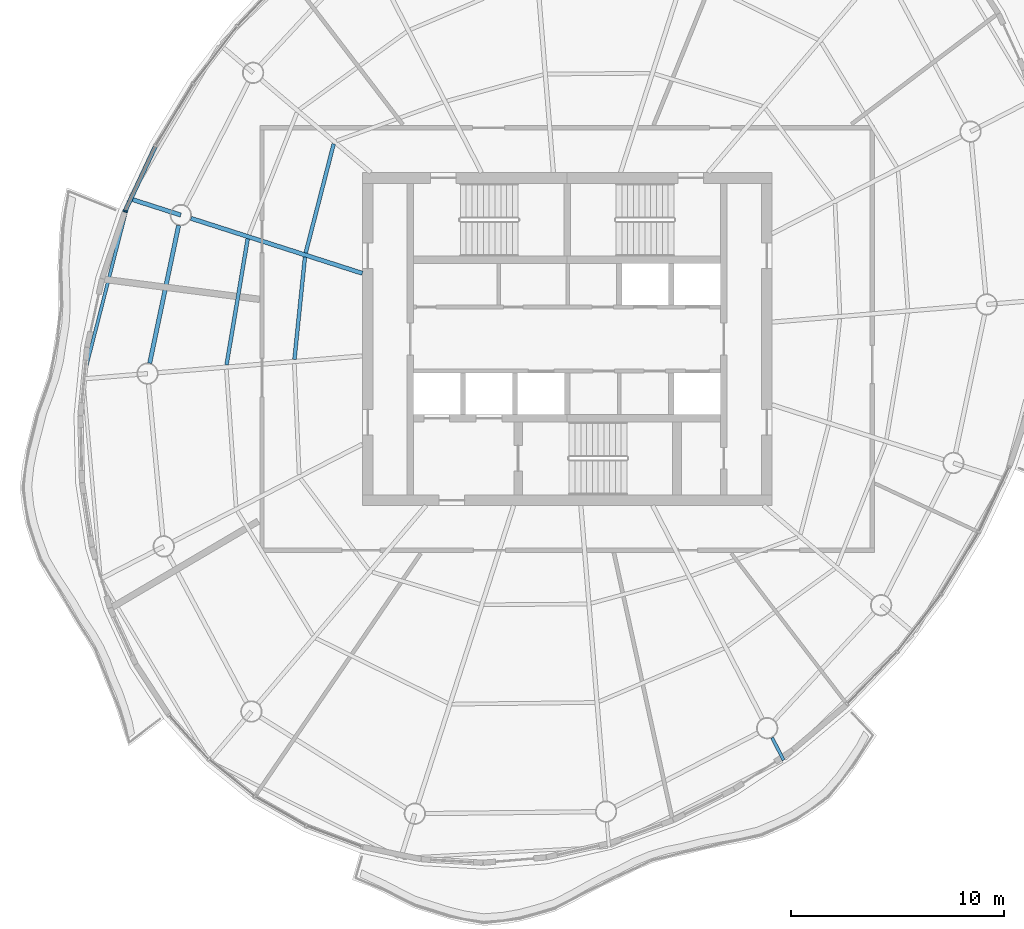
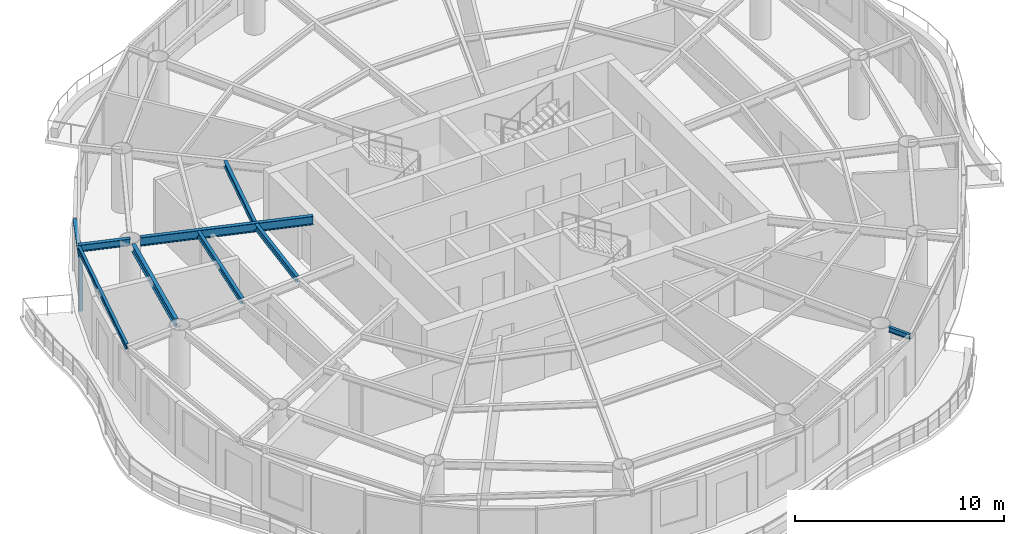
# One storey, part 3 of 14: 8 beams, 2 members, 1 element without a shape of its own.
"""IFC4 building model written with IfcOpenShell, lengths in metres."""

from ifc_helpers import new_model, si_unit, direction, frame, origin, origin_2d, place, context, subcontext, project, spatial, rectangle, i_section, extrude, material, material_profile, profile_set, type_object, element, aggregate, save


model = new_model("IFC4")

# Units and contexts
model_context = context("Model", 3, precision=1e-05, world=origin(), true_north=direction((0.0, 1.0)))
body_context = subcontext(model_context, "Body", "Model", "MODEL_VIEW")
ifc_project = project(units=[si_unit("LENGTHUNIT", "METRE"), si_unit("AREAUNIT", "SQUARE_METRE"), si_unit("VOLUMEUNIT", "CUBIC_METRE"), si_unit("PLANEANGLEUNIT", "RADIAN"), si_unit("MASSUNIT", "GRAM", prefix="KILO")], contexts=[model_context])

# Site, building, storey
site_placement = place(None, origin())
site = spatial("IfcSite", under=ifc_project, at=site_placement, CompositionType="ELEMENT")
building_placement = place(site_placement, origin())
building = spatial("IfcBuilding", under=site, at=building_placement, Name="Vermilion Reach Broadcast Tower", CompositionType="ELEMENT")
storey_placement = place(building_placement, frame((0.0, 0.0, 257.699951171875)))
storey = spatial("IfcBuildingStorey", under=building, at=storey_placement, Name="L63", CompositionType="ELEMENT", Elevation=257.699951171875)

# Beams
ifc_material_1 = material(Name="Steel S355J2", Category="steel")
ifc_material_profile_1 = material_profile(ifc_material_1, i_section(OverallWidth=0.14990234375, OverallDepth=0.300048828125, WebThickness=0.006591796875, FlangeThickness=0.009033203125, at=origin_2d()), Name="S355J2 HN 300x150x6.5x9")
ifc_profile_set_1 = profile_set([ifc_material_profile_1], Name="Steel S355J2")
beam_type_1 = type_object("IfcBeamType", Name="EB5 HN 300x150x6.5x9", PredefinedType="BEAM", material=ifc_profile_set_1)
beam_1_placement = place(storey_placement, frame((-26.541748046875, 6.486328125, 3.300048828125), z_axis=(-0.248202287756, -0.968708224572, 0.0), x_axis=(0.968708224572, -0.248202287756, 0.0)))
element("IfcBeam", 1, at=beam_1_placement, inside=storey, type_object=beam_type_1, Name="Edge beam EB5-05", PredefinedType="BEAM", context=body_context, shape_type="SweptSolid", body=[
    extrude(i_section(OverallWidth=0.14990234375, OverallDepth=0.300048828125, WebThickness=0.006591796875, FlangeThickness=0.009033203125, at=origin_2d()), origin(), (0.0, 0.0, 1.0), 8.519287109375),
])
ifc_material_2 = material(Name="Steel S355J2", Category="steel")
ifc_material_profile_2 = material_profile(ifc_material_2, i_section(OverallWidth=0.199951171875, OverallDepth=0.5, WebThickness=0.010009765625, FlangeThickness=0.01611328125, at=origin_2d()), Name="S355J2 HN 500x200x10x16")
ifc_profile_set_2 = profile_set([ifc_material_profile_2], Name="Steel S355J2")
beam_type_2 = type_object("IfcBeamType", Name="G5 HN 500x200x10x16", PredefinedType="BEAM", material=ifc_profile_set_2)
beam_2_placement = place(storey_placement, frame((-15.60009765625, 3.080322265625, 3.199951171875), z_axis=(-0.952178453449, 0.305542456604, 0.0), x_axis=(-0.305542456604, -0.952178453449, 0.0)))
element("IfcBeam", 2, at=beam_2_placement, inside=storey, type_object=beam_type_2, Name="Girder G5-05", PredefinedType="BEAM", context=body_context, shape_type="SweptSolid", body=[
    extrude(i_section(OverallWidth=0.199951171875, OverallDepth=0.5, WebThickness=0.010009765625, FlangeThickness=0.01611328125, at=origin_2d()), origin(), (0.0, 0.0, 1.0), 8.43310546875),
])
ifc_material_3 = material(Name="Steel S355J2", Category="steel")
ifc_material_profile_3 = material_profile(ifc_material_3, i_section(OverallWidth=0.199951171875, OverallDepth=0.39990234375, WebThickness=0.008056640625, FlangeThickness=0.012939453125, at=origin_2d()), Name="S355J2 HN 400x200x8x13")
ifc_profile_set_3 = profile_set([ifc_material_profile_3], Name="Steel S355J2")
beam_type_3 = type_object("IfcBeamType", Name="GC5 HN 400x200x8x13", PredefinedType="BEAM", material=ifc_profile_set_3)
beam_3_placement = place(storey_placement, frame((-24.10595703125, 5.809814453125, 3.25), z_axis=(-0.952199970695, 0.30547539313, 0.0), x_axis=(-0.30547539313, -0.952199970695, 0.0)))
element("IfcBeam", 3, at=beam_3_placement, inside=storey, type_object=beam_type_3, Name="Cantilever girder GC5-05", PredefinedType="BEAM", context=body_context, shape_type="SweptSolid", body=[
    extrude(i_section(OverallWidth=0.199951171875, OverallDepth=0.39990234375, WebThickness=0.008056640625, FlangeThickness=0.012939453125, at=origin_2d()), origin(), (0.0, 0.0, 1.0), 2.531982421875),
])
ifc_material_4 = material(Name="Steel S355J2", Category="steel")
ifc_material_profile_4 = material_profile(ifc_material_4, i_section(OverallWidth=0.14990234375, OverallDepth=0.300048828125, WebThickness=0.006591796875, FlangeThickness=0.009033203125, at=origin_2d()), Name="S355J2 HN 300x150x6.5x9")
ifc_profile_set_4 = profile_set([ifc_material_profile_4], Name="Steel S355J2")
beam_type_4 = type_object("IfcBeamType", Name="GS5 HN 300x150x6.5x9", PredefinedType="BEAM", material=ifc_profile_set_4)
beam_4_placement = place(storey_placement, frame((3.60546875, -18.682373046875, 3.300048828125), z_axis=(0.457259384763, -0.889333376775, 0.0), x_axis=(0.889333376775, 0.457259384763, 0.0)))
element("IfcBeam", 4, at=beam_4_placement, inside=storey, type_object=beam_type_4, Name="Cantilever stub GS5-11", PredefinedType="BEAM", context=body_context, shape_type="SweptSolid", body=[
    extrude(i_section(OverallWidth=0.14990234375, OverallDepth=0.300048828125, WebThickness=0.006591796875, FlangeThickness=0.009033203125, at=origin_2d()), origin(), (0.0, 0.0, 1.0), 1.1826171875),
])
ifc_material_5 = material(Name="Steel S355J2", Category="steel")
ifc_material_profile_5 = material_profile(ifc_material_5, i_section(OverallWidth=0.199951171875, OverallDepth=0.449951171875, WebThickness=0.009033203125, FlangeThickness=0.013916015625, at=origin_2d()), Name="S355J2 HN 450x200x9x14")
ifc_profile_set_5 = profile_set([ifc_material_profile_5], Name="Steel S355J2")
beam_type_5 = type_object("IfcBeamType", Name="RB5 HN 450x200x9x14", PredefinedType="BEAM", material=ifc_profile_set_5)
beam_5_placement = place(storey_placement, frame((-24.208740234375, 5.3203125, 3.22509765625), z_axis=(-0.205444869285, -0.978668690459, 0.0), x_axis=(0.978668690459, -0.205444869285, 0.0)))
element("IfcBeam", 5, at=beam_5_placement, inside=storey, type_object=beam_type_5, Name="Ring beam RB5-05", PredefinedType="BEAM", context=body_context, shape_type="SweptSolid", body=[
    extrude(i_section(OverallWidth=0.199951171875, OverallDepth=0.449951171875, WebThickness=0.009033203125, FlangeThickness=0.013916015625, at=origin_2d()), origin(), (0.0, 0.0, 1.0), 6.591796875),
])
ifc_material_6 = material(Name="Steel S355J2", Category="steel")
ifc_material_profile_6 = material_profile(ifc_material_6, i_section(OverallWidth=0.175048828125, OverallDepth=0.35009765625, WebThickness=0.007080078125, FlangeThickness=0.010986328125, at=origin_2d()), Name="S355J2 HN 350x175x7x11")
ifc_profile_set_6 = profile_set([ifc_material_profile_6], Name="Steel S355J2")
beam_type_6 = type_object("IfcBeamType", Name="SB5 HN 350x175x7x11", PredefinedType="BEAM", material=ifc_profile_set_6)
beam_6_placement = place(storey_placement, frame((-16.940185546875, 9.1435546875, 3.275146484375), z_axis=(-0.248729575729, -0.968572969971, 0.0), x_axis=(0.968572969971, -0.248729575729, 0.0)))
element("IfcBeam", 6, at=beam_6_placement, inside=storey, type_object=beam_type_6, Name="Secondary beam SB5-04-1", PredefinedType="BEAM", context=body_context, shape_type="SweptSolid", body=[
    extrude(i_section(OverallWidth=0.175048828125, OverallDepth=0.35009765625, WebThickness=0.007080078125, FlangeThickness=0.010986328125, at=origin_2d()), origin(), (0.0, 0.0, 1.0), 5.27294921875),
])
beam_7_placement = place(storey_placement, frame((-18.287109375, 3.837646484375, 3.275146484375), z_axis=(-0.102113775264, -0.994772726255, 0.0), x_axis=(0.994772726255, -0.102113775264, 0.0)))
element("IfcBeam", 7, at=beam_7_placement, inside=storey, type_object=beam_type_6, Name="Secondary beam SB5-05-1", PredefinedType="BEAM", context=body_context, shape_type="SweptSolid", body=[
    extrude(i_section(OverallWidth=0.175048828125, OverallDepth=0.35009765625, WebThickness=0.007080078125, FlangeThickness=0.010986328125, at=origin_2d()), origin(), (0.0, 0.0, 1.0), 4.815185546875),
])
beam_8_placement = place(storey_placement, frame((-20.969970703125, 4.698486328125, 3.275146484375), z_axis=(-0.16532337011, -0.986239414795, 0.0), x_axis=(0.986239414795, -0.16532337011, 0.0)))
element("IfcBeam", 8, at=beam_8_placement, inside=storey, type_object=beam_type_6, Name="Secondary beam SB5-05-2", PredefinedType="BEAM", context=body_context, shape_type="SweptSolid", body=[
    extrude(i_section(OverallWidth=0.175048828125, OverallDepth=0.35009765625, WebThickness=0.007080078125, FlangeThickness=0.010986328125, at=origin_2d()), origin(), (0.0, 0.0, 1.0), 5.99560546875),
])

# Curtain wall, members
ifc_material_7 = material(Name="Low-e laminated clear glass in aluminium frame", Category="aluminium")
curtain_wall_type = type_object("IfcCurtainWallType", Name="Slot curtain wall", PredefinedType="NOTDEFINED", material=ifc_material_7)
curtain_wall_placement = place(storey_placement, origin())
curtain_wall = element("IfcCurtainWall", 9, at=curtain_wall_placement, inside=storey, type_object=curtain_wall_type, Name="Slot curtain wall L63 13", PredefinedType="NOTDEFINED")
ifc_material_8 = material(Name="Anodised aluminium", Category="aluminium")
ifc_material_profile_7 = material_profile(ifc_material_8, rectangle(XDim=0.199951171875, YDim=0.080078125, at=origin_2d()), Name="Slot mullion 80 x 200")
ifc_profile_set_7 = profile_set([ifc_material_profile_7], Name="Anodised aluminium")
member_type_1 = type_object("IfcMemberType", Name="Slot mullion 80 x 200", PredefinedType="MULLION", material=ifc_profile_set_7)
member_1_placement = place(storey_placement, frame((-26.71875, 5.9931640625, 0.0), z_axis=(0.0, 0.0, 1.0), x_axis=(0.927712370398, -0.373295804706, 0.0)))
member_1 = element("IfcMember", 10, at=member_1_placement, type_object=member_type_1, Name="Slot mullion L63 14", PredefinedType="MULLION", context=body_context, shape_type="SweptSolid", body=[
    extrude(rectangle(XDim=0.199951171875, YDim=0.080078125, at=origin_2d()), origin(), (0.0, 0.0, 1.0), 3.050048828125),
])
ifc_material_9 = material(Name="Anodised aluminium", Category="aluminium")
ifc_material_profile_8 = material_profile(ifc_material_9, rectangle(XDim=0.199951171875, YDim=0.10009765625, at=origin_2d()), Name="Slot transom 200 x 100")
ifc_profile_set_8 = profile_set([ifc_material_profile_8], Name="Anodised aluminium")
member_type_2 = type_object("IfcMemberType", Name="Slot transom 200 x 100", PredefinedType="USERDEFINED", material=ifc_profile_set_8)
member_2_placement = place(storey_placement, frame((-25.3037109375, 9.019287109375, 3.0), z_axis=(-0.423626374068, -0.905837013592, 0.0), x_axis=(0.905837013592, -0.423626374068, 0.0)))
member_2 = element("IfcMember", 11, at=member_2_placement, type_object=member_type_2, Name="Slot transom L63 13.1", ObjectType="TRANSOM", PredefinedType="USERDEFINED", context=body_context, shape_type="SweptSolid", body=[
    extrude(rectangle(XDim=0.199951171875, YDim=0.10009765625, at=origin_2d()), origin(), (0.0, 0.0, 1.0), 3.300537109375),
])
aggregate(curtain_wall, [member_1, member_2])

save(model, "model.ifc")
